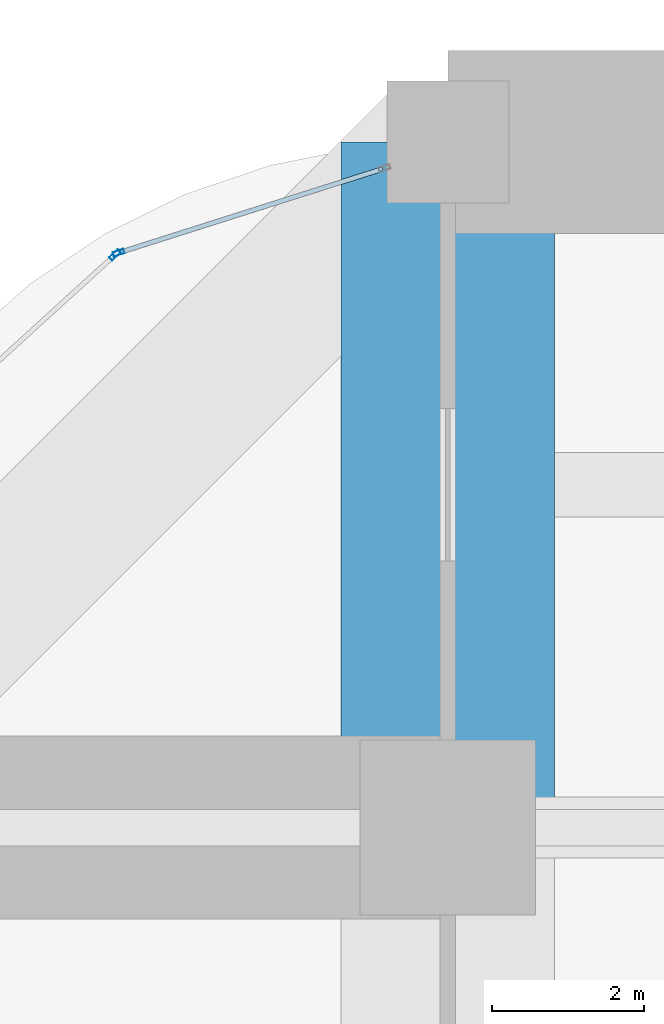
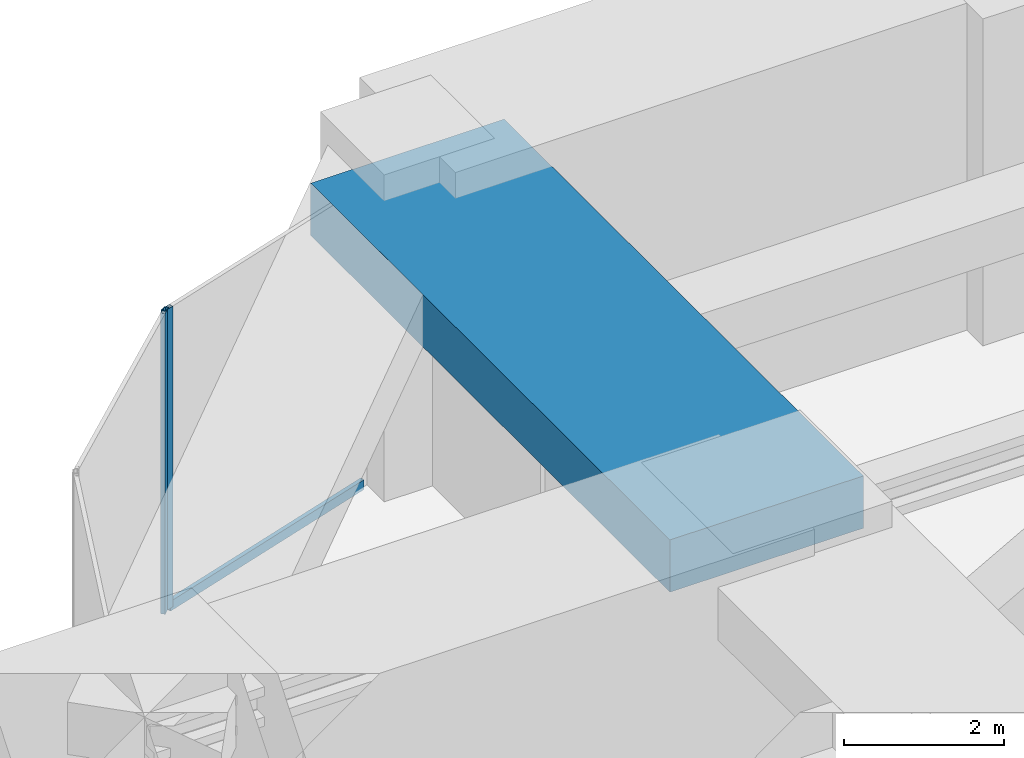
# One storey, part 20 of 32: 3 members, 1 beam, 2 elements without a shape of their own.
"""IFC4 building model written with IfcOpenShell, lengths in metres."""

from ifc_helpers import new_model, si_unit, direction, frame, origin, origin_2d, place, context, subcontext, project, spatial, rectangle, hollow_rectangle, extrude, material, material_profile, profile_set, type_object, element, aggregate, save


model = new_model("IFC4")

# Units and contexts
model_context = context("Model", 3, precision=1e-05, world=origin(), true_north=direction((0.0, 1.0)))
body_context = subcontext(model_context, "Body", "Model", "MODEL_VIEW")
ifc_project = project(units=[si_unit("LENGTHUNIT", "METRE"), si_unit("AREAUNIT", "SQUARE_METRE"), si_unit("VOLUMEUNIT", "CUBIC_METRE"), si_unit("PLANEANGLEUNIT", "RADIAN"), si_unit("MASSUNIT", "GRAM", prefix="KILO")], contexts=[model_context])

# Site, building, storey
site_placement = place(None, origin())
site = spatial("IfcSite", under=ifc_project, at=site_placement, CompositionType="ELEMENT")
building_placement = place(site_placement, origin())
building = spatial("IfcBuilding", under=site, at=building_placement, Name="Zorevar Civic Tower", CompositionType="ELEMENT")
storey_placement = place(building_placement, frame((0.0, 0.0, 234.39990234375)))
storey = spatial("IfcBuildingStorey", under=building, at=storey_placement, Name="L57", CompositionType="ELEMENT", Elevation=234.39990234375)

# Beam
ifc_material_1 = material(Name="Concrete C50/60", Category="concrete")
ifc_material_profile_1 = material_profile(ifc_material_1, rectangle(XDim=2.800048828125, YDim=0.800048828125, at=origin_2d()), Name="RC 2800x800")
ifc_profile_set_1 = profile_set([ifc_material_profile_1], Name="Concrete C50/60")
beam_type = type_object("IfcBeamType", Name="Beam RC 2800x800", PredefinedType="BEAM", material=ifc_profile_set_1)
beam_placement = place(storey_placement, frame((9.0, 36.0, 4.2001953125), z_axis=(0.0, 1.0, 0.0), x_axis=(-1.0, 0.0, 0.0)))
element("IfcBeam", 1, at=beam_placement, inside=storey, type_object=beam_type, Name="Girder L58", PredefinedType="BEAM", context=body_context, shape_type="SweptSolid", body=[
    extrude(rectangle(XDim=2.800048828125, YDim=0.800048828125, at=origin_2d()), origin(), (0.0, 0.0, 1.0), 9.0),
])

# Curtain wall, member
ifc_material_2 = material(Name="Black aluminium louvres", Category="aluminium")
curtain_wall_type = type_object("IfcCurtainWallType", Name="Louvred curtain wall CW6 refuge", PredefinedType="NOTDEFINED", material=ifc_material_2)
curtain_wall_1_placement = place(storey_placement, origin())
curtain_wall_1 = element("IfcCurtainWall", 2, at=curtain_wall_1_placement, inside=storey, type_object=curtain_wall_type, Name="CW6 L57", PredefinedType="NOTDEFINED")
ifc_material_3 = material(Name="Aluminium, black anodised", Category="aluminium")
ifc_material_profile_2 = material_profile(ifc_material_3, hollow_rectangle(XDim=0.06005859375, YDim=0.14990234375, WallThickness=0.00390625, at=origin_2d()), Name="AL 150x60x4")
ifc_profile_set_2 = profile_set([ifc_material_profile_2], Name="Aluminium, black anodised")
member_type_1 = type_object("IfcMemberType", Name="CW6 mullion AL 150x60x4", PredefinedType="MULLION", material=ifc_profile_set_2)
member_1_placement = place(storey_placement, frame((4.6806640625, 43.544677734375, 0.0), z_axis=(0.0, 0.0, 1.0), x_axis=(0.302858738154, -0.953035458272, 0.0)))
member_1 = element("IfcMember", 3, at=member_1_placement, type_object=member_type_1, Name="CW6 mullion 2", PredefinedType="MULLION", context=body_context, shape_type="SweptSolid", body=[
    extrude(hollow_rectangle(XDim=0.06005859375, YDim=0.14990234375, WallThickness=0.00390625, at=origin_2d()), origin(), (0.0, 0.0, 1.0), 4.60009765625),
])

curtain_wall_2_placement = place(storey_placement, origin())
curtain_wall_2 = element("IfcCurtainWall", 4, at=curtain_wall_2_placement, inside=storey, type_object=curtain_wall_type, Name="CW6 L57", PredefinedType="NOTDEFINED")
member_2_placement = place(storey_placement, frame((4.6298828125, 43.515380859375, 0.0), z_axis=(0.0, 0.0, 1.0), x_axis=(0.673532686252, -0.739157439623, 0.0)))
member_2 = element("IfcMember", 5, at=member_2_placement, type_object=member_type_1, Name="CW6 mullion 1", PredefinedType="MULLION", context=body_context, shape_type="SweptSolid", body=[
    extrude(hollow_rectangle(XDim=0.06005859375, YDim=0.14990234375, WallThickness=0.00390625, at=origin_2d()), origin(), (0.0, 0.0, 1.0), 4.60009765625),
])
aggregate(curtain_wall_2, [member_2])

# Member
ifc_material_4 = material(Name="Aluminium, black anodised", Category="aluminium")
ifc_material_profile_3 = material_profile(ifc_material_4, hollow_rectangle(XDim=0.06005859375, YDim=0.14990234375, WallThickness=0.00390625, at=origin_2d()), Name="AL 150x60x4")
ifc_profile_set_3 = profile_set([ifc_material_profile_3], Name="Aluminium, black anodised")
member_type_2 = type_object("IfcMemberType", Name="CW6 transom AL 150x60x4", PredefinedType="USERDEFINED", material=ifc_profile_set_3)
member_3_placement = place(storey_placement, frame((8.142822265625, 44.644775390625, 0.030029296875), z_axis=(-0.953041406307, -0.302840020249, 0.0), x_axis=(0.302840020249, -0.953041406307, 0.0)))
member_3 = element("IfcMember", 6, at=member_3_placement, type_object=member_type_2, Name="CW6 sill transom", ObjectType="TRANSOM", PredefinedType="USERDEFINED", context=body_context, shape_type="SweptSolid", body=[
    extrude(hollow_rectangle(XDim=0.06005859375, YDim=0.14990234375, WallThickness=0.00390625, at=origin_2d()), origin(), (0.0, 0.0, 1.0), 3.602783203125),
])

aggregate(curtain_wall_1, [member_1, member_3])

save(model, "model.ifc")
